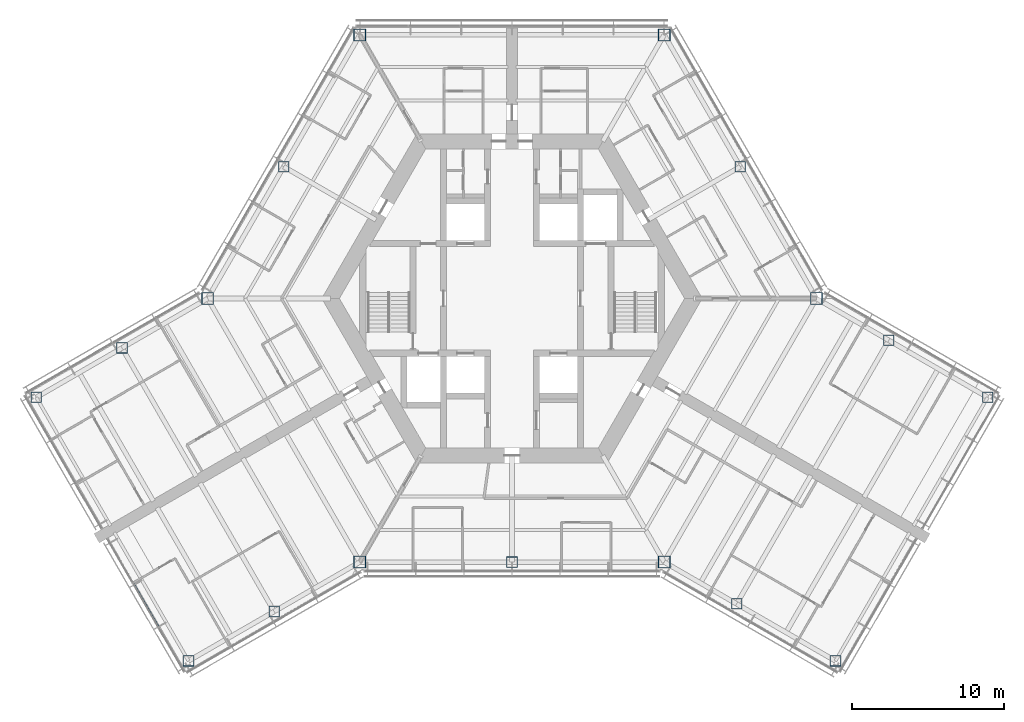
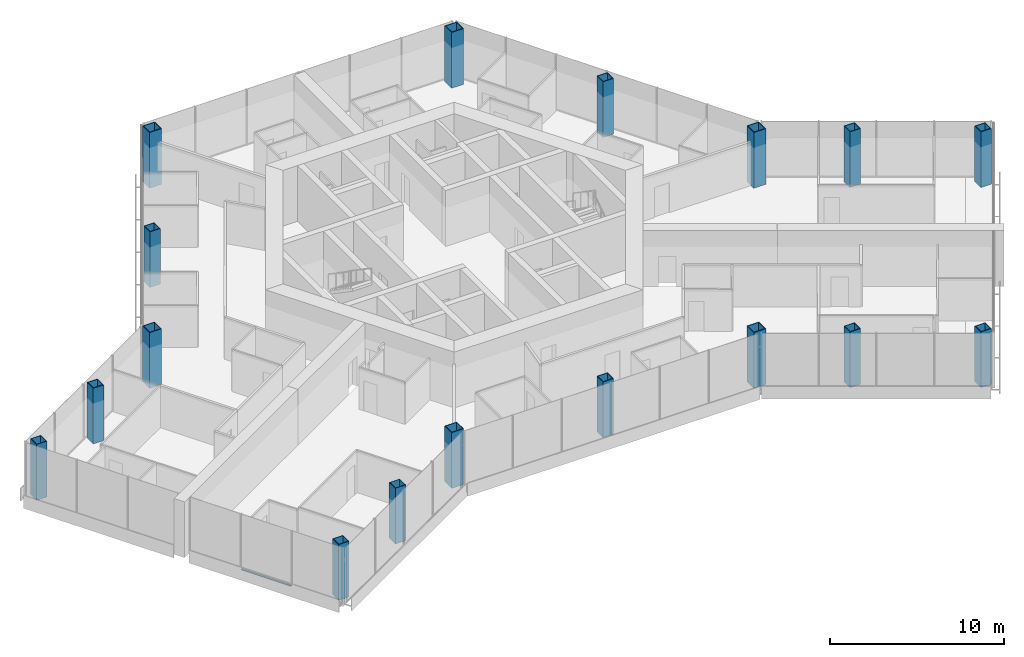
# One storey, part 1 of 19: 17 columns, 1 member, 1 element without a shape of its own.
"""IFC4 building model written with IfcOpenShell, lengths in metres."""

from ifc_helpers import new_model, si_unit, direction, frame, origin, origin_2d, place, context, subcontext, project, spatial, rectangle, hollow_rectangle, extrude, material, material_profile, profile_set, type_object, element, aggregate, save


model = new_model("IFC4")

# Units and contexts
model_context = context("Model", 3, precision=1e-05, world=origin(), true_north=direction((0.0, 1.0)))
body_context = subcontext(model_context, "Body", "Model", "MODEL_VIEW")
ifc_project = project(units=[si_unit("LENGTHUNIT", "METRE"), si_unit("AREAUNIT", "SQUARE_METRE"), si_unit("VOLUMEUNIT", "CUBIC_METRE"), si_unit("PLANEANGLEUNIT", "RADIAN"), si_unit("MASSUNIT", "GRAM", prefix="KILO")], contexts=[model_context])

# Site, building, storey
site_placement = place(None, origin())
site = spatial("IfcSite", under=ifc_project, at=site_placement, CompositionType="ELEMENT")
building_placement = place(site_placement, origin())
building = spatial("IfcBuilding", under=site, at=building_placement, Name="Kasaneha Research Tower", CompositionType="ELEMENT")
storey_placement = place(building_placement, frame((0.0, 0.0, 160.39990234375)))
storey = spatial("IfcBuildingStorey", under=building, at=storey_placement, Name="L40", CompositionType="ELEMENT", Elevation=160.39990234375)

# Columns
ifc_material_1 = material(Name="Steel SN490C", Category="steel")
ifc_material_profile_1 = material_profile(ifc_material_1, hollow_rectangle(XDim=0.800048828125, YDim=0.800048828125, WallThickness=0.044921875, at=origin_2d()), Name="BOX-800x800x45")
ifc_profile_set_1 = profile_set([ifc_material_profile_1], Name="Steel SN490C")
column_type_1 = type_object("IfcColumnType", Name="C3A column BOX-800x800x45", PredefinedType="COLUMN", material=ifc_profile_set_1)
for number, where, z_axis, x_axis, name in (
    (1, (20.0, 0.0, 0.0), (0.0, 0.0, 1.0), (1.0, 0.0, 0.0), "Column V0 L40"),
    (2, (10.0, 17.320556640625, 0.0), (0.0, 0.0, 1.0), (1.0, 0.0, 0.0), "Column V1 L40"),
    (3, (-10.0, 17.320556640625, 0.0), (0.0, 0.0, 1.0), (1.0, 0.0, 0.0), "Column V2 L40"),
    (4, (-20.0, 0.0, 0.0), (0.0, 0.0, 1.0), (1.0, 0.0, 0.0), "Column V3 L40"),
    (5, (-10.0, -17.320556640625, 0.0), (0.0, 0.0, 1.0), (1.0, 0.0, 0.0), "Column V4 L40"),
    (6, (10.0, -17.320556640625, 0.0), (0.0, 0.0, 1.0), (1.0, 0.0, 0.0), "Column V5 L40"),
):
    element("IfcColumn", number, at=place(storey_placement, frame(where, z_axis=z_axis, x_axis=x_axis)), inside=storey, type_object=column_type_1, Name=name, PredefinedType="COLUMN", context=body_context, shape_type="SweptSolid", body=[
        extrude(hollow_rectangle(XDim=0.800048828125, YDim=0.800048828125, WallThickness=0.044921875, at=origin_2d()), origin(), (0.0, 0.0, 1.0), 3.900146484375),
    ])
ifc_material_2 = material(Name="Steel SN490C", Category="steel")
ifc_material_profile_2 = material_profile(ifc_material_2, hollow_rectangle(XDim=0.699951171875, YDim=0.699951171875, WallThickness=0.035888671875, at=origin_2d()), Name="BOX-700x700x36")
ifc_profile_set_2 = profile_set([ifc_material_profile_2], Name="Steel SN490C")
column_type_2 = type_object("IfcColumnType", Name="C3B column BOX-700x700x36", PredefinedType="COLUMN", material=ifc_profile_set_2)
for number, where, z_axis, x_axis, name in (
    (7, (15.0, 8.66015625, 0.0), (0.0, 0.0, 1.0), (1.0, 0.0, 0.0), "Column M030 L40"),
    (8, (-15.0, 8.66015625, 0.0), (0.0, 0.0, 1.0), (1.0, 0.0, 0.0), "Column M150 L40"),
    (9, (0.0, -17.320556640625, 0.0), (0.0, 0.0, 1.0), (1.0, 0.0, 0.0), "Column M270 L40"),
    (10, (-25.629150390625, -3.25, 0.0), (0.0, 0.0, 1.0), (1.0, 0.0, 0.0), "Column BSP L40"),
    (11, (-31.25830078125, -6.5, 0.0), (0.0, 0.0, 1.0), (1.0, 0.0, 0.0), "Column BTP L40"),
    (12, (-15.629150390625, -20.570556640625, 0.0), (0.0, 0.0, 1.0), (1.0, 0.0, 0.0), "Column BSN L40"),
    (13, (-21.25830078125, -23.820556640625, 0.0), (0.0, 0.0, 1.0), (1.0, 0.0, 0.0), "Column BTN L40"),
    (14, (14.76318359375, -20.070556640625, 0.0), (0.0, 0.0, 1.0), (1.0, 0.0, 0.0), "Column CSP L40"),
    (15, (21.25830078125, -23.820556640625, 0.0), (0.0, 0.0, 1.0), (1.0, 0.0, 0.0), "Column CTP L40"),
    (16, (24.76318359375, -2.75, 0.0), (0.0, 0.0, 1.0), (1.0, 0.0, 0.0), "Column CSN L40"),
    (17, (31.25830078125, -6.5, 0.0), (0.0, 0.0, 1.0), (1.0, 0.0, 0.0), "Column CTN L40"),
):
    element("IfcColumn", number, at=place(storey_placement, frame(where, z_axis=z_axis, x_axis=x_axis)), inside=storey, type_object=column_type_2, Name=name, PredefinedType="COLUMN", context=body_context, shape_type="SweptSolid", body=[
        extrude(hollow_rectangle(XDim=0.699951171875, YDim=0.699951171875, WallThickness=0.035888671875, at=origin_2d()), origin(), (0.0, 0.0, 1.0), 3.900146484375),
    ])

# Curtain wall, member
ifc_material_3 = material(Name="Glass and aluminium", Category="aluminium")
curtain_wall_type = type_object("IfcCurtainWallType", Name="Mid-rise office curtain wall", PredefinedType="USERDEFINED", material=ifc_material_3)
curtain_wall_placement = place(storey_placement, origin())
curtain_wall = element("IfcCurtainWall", 18, at=curtain_wall_placement, inside=storey, type_object=curtain_wall_type, Name="CW-O2 L40 run 11a", ObjectType="UNITISED CURTAIN WALL", PredefinedType="USERDEFINED")
ifc_material_4 = material(Name="Aluminium 6063-T6", Category="aluminium")
ifc_material_profile_3 = material_profile(ifc_material_4, rectangle(XDim=0.110107421875, YDim=0.06005859375, at=origin_2d()), Name="CW-O2 transom 110x60")
ifc_profile_set_3 = profile_set([ifc_material_profile_3], Name="Aluminium 6063-T6")
member_type = type_object("IfcMemberType", Name="CW-O2 transom", PredefinedType="USERDEFINED", material=ifc_profile_set_3)
member_placement = place(storey_placement, frame((-24.896240234375, -18.719482421875, 0.030029296875), z_axis=(0.500010745865, -0.866019199568, 0.0), x_axis=(0.866019199568, 0.500010745865, 0.0)))
member = element("IfcMember", 19, at=member_placement, type_object=member_type, Name="CW-O2 transom 2", ObjectType="TRANSOM", PredefinedType="USERDEFINED", context=body_context, shape_type="SweptSolid", body=[
    extrude(rectangle(XDim=0.110107421875, YDim=0.06005859375, at=origin_2d()), origin(), (0.0, 0.0, 1.0), 3.3232421875),
])
aggregate(curtain_wall, [member])

save(model, "model.ifc")
